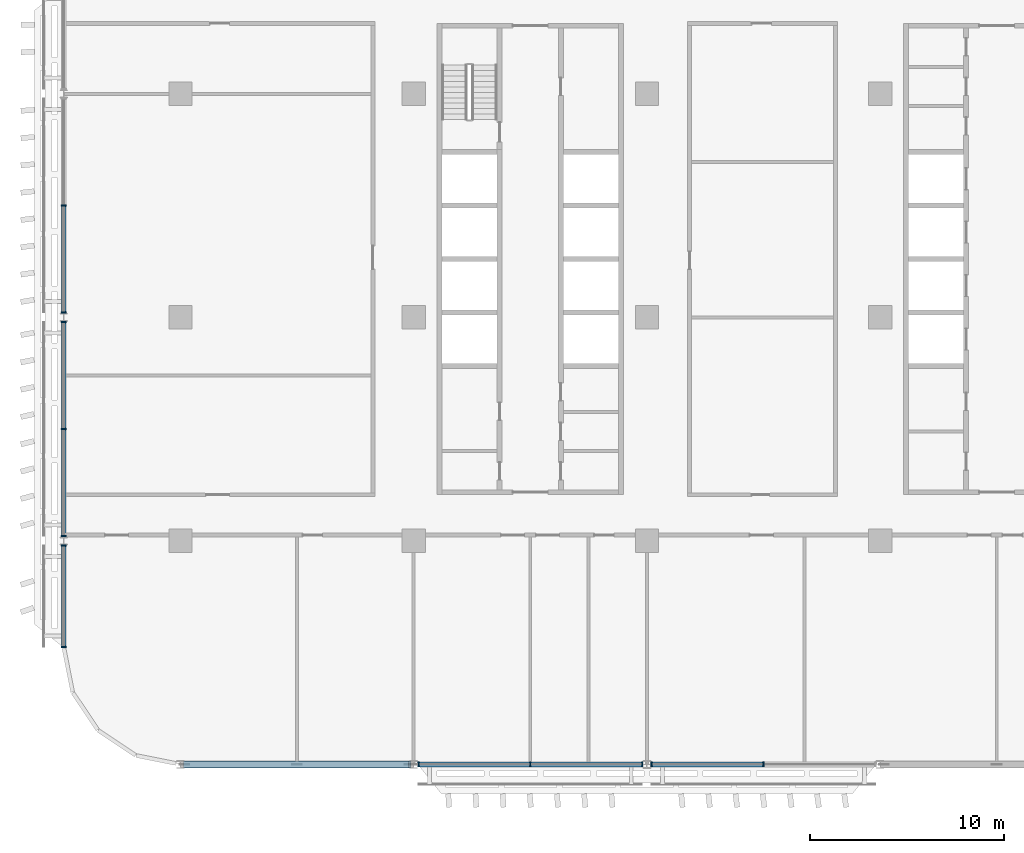
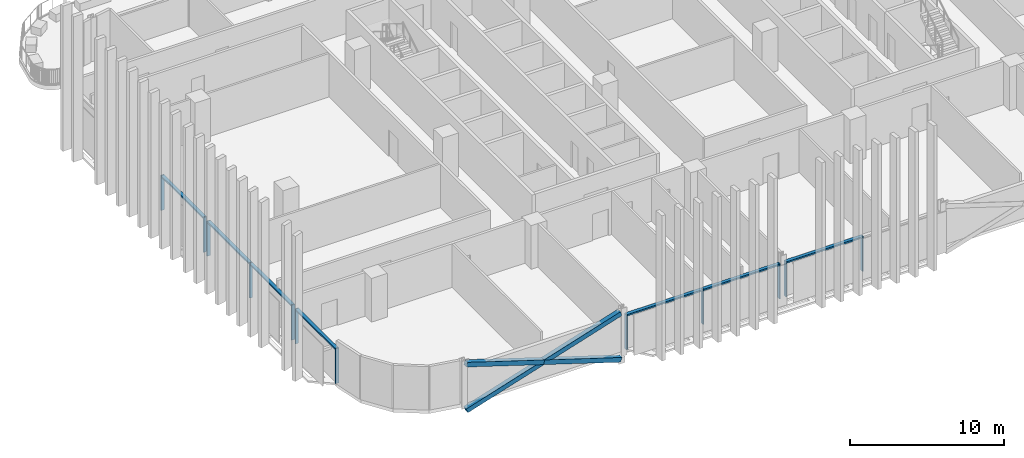
# One storey, part 3 of 30: 22 members, 5 elements without a shape of their own.
"""IFC4 building model written with IfcOpenShell, lengths in metres."""

from ifc_helpers import new_model, si_unit, direction, frame, origin, origin_2d, place, context, subcontext, project, spatial, rectangle, hollow_rectangle, extrude, material, material_profile, profile_set, type_object, element, aggregate, save


model = new_model("IFC4")

# Units and contexts
model_context = context("Model", 3, precision=1e-05, world=origin(), true_north=direction((0.0, 1.0)))
body_context = subcontext(model_context, "Body", "Model", "MODEL_VIEW")
ifc_project = project(units=[si_unit("LENGTHUNIT", "METRE"), si_unit("AREAUNIT", "SQUARE_METRE"), si_unit("VOLUMEUNIT", "CUBIC_METRE"), si_unit("PLANEANGLEUNIT", "RADIAN"), si_unit("MASSUNIT", "GRAM", prefix="KILO")], contexts=[model_context])

# Site, building, storey
site_placement = place(None, origin())
site = spatial("IfcSite", under=ifc_project, at=site_placement, CompositionType="ELEMENT")
building_placement = place(site_placement, origin())
building = spatial("IfcBuilding", under=site, at=building_placement, Name="Mahtab Terrace Research Tower", CompositionType="ELEMENT")
storey_placement = place(building_placement, frame((0.0, 0.0, 159.199951171875)))
storey = spatial("IfcBuildingStorey", under=building, at=storey_placement, Name="L37", CompositionType="ELEMENT", Elevation=159.199951171875)

# Members
ifc_material_1 = material(Name="Steel ASTM A500 Gr C", Category="steel")
ifc_material_profile_1 = material_profile(ifc_material_1, hollow_rectangle(XDim=0.355712890625, YDim=0.355712890625, WallThickness=0.015869140625, at=origin_2d()), Name="HSS14X14X5/8")
ifc_profile_set_1 = profile_set([ifc_material_profile_1], Name="Steel ASTM A500 Gr C")
member_type_1 = type_object("IfcMemberType", Name="HSS 14x14x5/8 brace XB141458", PredefinedType="BRACE", material=ifc_profile_set_1)
member_1_placement = place(storey_placement, frame((-41.796875, -23.0, -0.61474609375), z_axis=(0.953341454971, 0.0, 0.301894137463), x_axis=(0.0, 1.0, 0.0)))
element("IfcMember", 1, at=member_1_placement, inside=storey, type_object=member_type_1, Name="Exoskeleton brace L37 12 a", PredefinedType="BRACE", context=body_context, shape_type="SweptSolid", body=[
    extrude(hollow_rectangle(XDim=0.355712890625, YDim=0.355712890625, WallThickness=0.015869140625, at=origin_2d()), origin(), (0.0, 0.0, 1.0), 12.1611328125),
])
for number, where, z_axis, x_axis, name in (
    (2, (-30.203125, -23.0, -0.61474609375), (-0.953341454971, 0.0, 0.301894137463), (0.0, -1.0, 0.0), "Exoskeleton brace L37 12 b1"),
    (3, (-36.0, -23.0, 1.220947265625), (-0.953341454971, 0.0, 0.301894137463), (0.0, -1.0, 0.0), "Exoskeleton brace L37 12 b2"),
):
    element("IfcMember", number, at=place(storey_placement, frame(where, z_axis=z_axis, x_axis=x_axis)), inside=storey, type_object=member_type_1, Name=name, PredefinedType="BRACE", context=body_context, shape_type="SweptSolid", body=[
        extrude(hollow_rectangle(XDim=0.355712890625, YDim=0.355712890625, WallThickness=0.015869140625, at=origin_2d()), origin(), (0.0, 0.0, 1.0), 6.08056640625),
    ])

# Curtain wall, members
ifc_material_2 = material(Name="Sky lounge full-height curtain wall")
curtain_wall_type = type_object("IfcCurtainWallType", Name="Sky lounge full-height curtain wall", PredefinedType="NOTDEFINED", material=ifc_material_2)
curtain_wall_1_placement = place(storey_placement, origin())
curtain_wall_1 = element("IfcCurtainWall", 4, at=curtain_wall_1_placement, inside=storey, type_object=curtain_wall_type, Name="EN.L37.8.16", PredefinedType="NOTDEFINED")
ifc_material_3 = material(Name="Natural anodised aluminium", Category="aluminium")
ifc_material_profile_2 = material_profile(ifc_material_3, rectangle(XDim=0.25, YDim=0.070068359375, at=origin_2d()), Name="MULLION 70x250")
ifc_profile_set_2 = profile_set([ifc_material_profile_2], Name="Natural anodised aluminium")
member_type_2 = type_object("IfcMemberType", Name="Sky lounge full-height curtain wall mullion", PredefinedType="MULLION", material=ifc_profile_set_2)
member_2_placement = place(storey_placement, frame((-48.0, 5.75, 0.0), z_axis=(0.0, 0.0, 1.0), x_axis=(1.0, 0.0, 0.0)))
member_2 = element("IfcMember", 5, at=member_2_placement, type_object=member_type_2, Name="CWS-5 mullion 2", PredefinedType="MULLION", context=body_context, shape_type="SweptSolid", body=[
    extrude(rectangle(XDim=0.25, YDim=0.070068359375, at=origin_2d()), origin(), (0.0, 0.0, 1.0), 2.78173828125),
])
member_3_placement = place(storey_placement, frame((-48.0, 0.242919921875, 0.0), z_axis=(0.0, 0.0, 1.0), x_axis=(1.0, 0.0, 0.0)))
member_3 = element("IfcMember", 6, at=member_3_placement, type_object=member_type_2, Name="CWS-5 mullion 3", PredefinedType="MULLION", context=body_context, shape_type="SweptSolid", body=[
    extrude(rectangle(XDim=0.25, YDim=0.070068359375, at=origin_2d()), origin(), (0.0, 0.0, 1.0), 2.78173828125),
])

curtain_wall_2_placement = place(storey_placement, origin())
curtain_wall_2 = element("IfcCurtainWall", 7, at=curtain_wall_2_placement, inside=storey, type_object=curtain_wall_type, Name="EN.L37.8.17", PredefinedType="NOTDEFINED")
member_4_placement = place(storey_placement, frame((-48.0, -0.242919921875, 0.0), z_axis=(0.0, 0.0, 1.0), x_axis=(1.0, 0.0, 0.0)))
member_4 = element("IfcMember", 8, at=member_4_placement, type_object=member_type_2, Name="CWS-5 mullion 1", PredefinedType="MULLION", context=body_context, shape_type="SweptSolid", body=[
    extrude(rectangle(XDim=0.25, YDim=0.070068359375, at=origin_2d()), origin(), (0.0, 0.0, 1.0), 2.78173828125),
])
member_5_placement = place(storey_placement, frame((-48.0, -5.75, 0.0), z_axis=(0.0, 0.0, 1.0), x_axis=(1.0, 0.0, 0.0)))
member_5 = element("IfcMember", 9, at=member_5_placement, type_object=member_type_2, Name="CWS-5 mullion 2", PredefinedType="MULLION", context=body_context, shape_type="SweptSolid", body=[
    extrude(rectangle(XDim=0.25, YDim=0.070068359375, at=origin_2d()), origin(), (0.0, 0.0, 1.0), 2.78173828125),
])
member_6_placement = place(storey_placement, frame((-48.0, -11.257080078125, 0.0), z_axis=(0.0, 0.0, 1.0), x_axis=(1.0, 0.0, 0.0)))
member_6 = element("IfcMember", 10, at=member_6_placement, type_object=member_type_2, Name="CWS-5 mullion 3", PredefinedType="MULLION", context=body_context, shape_type="SweptSolid", body=[
    extrude(rectangle(XDim=0.25, YDim=0.070068359375, at=origin_2d()), origin(), (0.0, 0.0, 1.0), 2.78173828125),
])

curtain_wall_3_placement = place(storey_placement, origin())
curtain_wall_3 = element("IfcCurtainWall", 11, at=curtain_wall_3_placement, inside=storey, type_object=curtain_wall_type, Name="EN.L37.8.18", PredefinedType="NOTDEFINED")
member_7_placement = place(storey_placement, frame((-48.0, -11.742919921875, 0.0), z_axis=(0.0, 0.0, 1.0), x_axis=(1.0, 0.0, 0.0)))
member_7 = element("IfcMember", 12, at=member_7_placement, type_object=member_type_2, Name="CWS-5 mullion 1", PredefinedType="MULLION", context=body_context, shape_type="SweptSolid", body=[
    extrude(rectangle(XDim=0.25, YDim=0.070068359375, at=origin_2d()), origin(), (0.0, 0.0, 1.0), 2.78173828125),
])
member_8_placement = place(storey_placement, frame((-48.0, -16.965087890625, 0.0), z_axis=(0.0, 0.0, 1.0), x_axis=(1.0, 0.0, 0.0)))
member_8 = element("IfcMember", 13, at=member_8_placement, type_object=member_type_2, Name="CWS-5 mullion 2", PredefinedType="MULLION", context=body_context, shape_type="SweptSolid", body=[
    extrude(rectangle(XDim=0.25, YDim=0.070068359375, at=origin_2d()), origin(), (0.0, 0.0, 1.0), 2.78173828125),
])

curtain_wall_4_placement = place(storey_placement, origin())
curtain_wall_4 = element("IfcCurtainWall", 14, at=curtain_wall_4_placement, inside=storey, type_object=curtain_wall_type, Name="EN.L37.13.24", PredefinedType="NOTDEFINED")
member_9_placement = place(storey_placement, frame((-29.757080078125, -23.0, 0.0), z_axis=(0.0, 0.0, 1.0), x_axis=(0.0, 1.0, 0.0)))
member_9 = element("IfcMember", 15, at=member_9_placement, type_object=member_type_2, Name="CWS-5 mullion 1", PredefinedType="MULLION", context=body_context, shape_type="SweptSolid", body=[
    extrude(rectangle(XDim=0.25, YDim=0.070068359375, at=origin_2d()), origin(), (0.0, 0.0, 1.0), 2.78173828125),
])
member_10_placement = place(storey_placement, frame((-24.0, -23.0, 0.0), z_axis=(0.0, 0.0, 1.0), x_axis=(0.0, 1.0, 0.0)))
member_10 = element("IfcMember", 16, at=member_10_placement, type_object=member_type_2, Name="CWS-5 mullion 2", PredefinedType="MULLION", context=body_context, shape_type="SweptSolid", body=[
    extrude(rectangle(XDim=0.25, YDim=0.070068359375, at=origin_2d()), origin(), (0.0, 0.0, 1.0), 2.78173828125),
])
member_11_placement = place(storey_placement, frame((-18.242919921875, -23.0, 0.0), z_axis=(0.0, 0.0, 1.0), x_axis=(0.0, 1.0, 0.0)))
member_11 = element("IfcMember", 17, at=member_11_placement, type_object=member_type_2, Name="CWS-5 mullion 3", PredefinedType="MULLION", context=body_context, shape_type="SweptSolid", body=[
    extrude(rectangle(XDim=0.25, YDim=0.070068359375, at=origin_2d()), origin(), (0.0, 0.0, 1.0), 2.78173828125),
])

curtain_wall_5_placement = place(storey_placement, origin())
curtain_wall_5 = element("IfcCurtainWall", 18, at=curtain_wall_5_placement, inside=storey, type_object=curtain_wall_type, Name="EN.L37.13.25", PredefinedType="NOTDEFINED")
member_12_placement = place(storey_placement, frame((-17.757080078125, -23.0, 0.0), z_axis=(0.0, 0.0, 1.0), x_axis=(0.0, 1.0, 0.0)))
member_12 = element("IfcMember", 19, at=member_12_placement, type_object=member_type_2, Name="CWS-5 mullion 1", PredefinedType="MULLION", context=body_context, shape_type="SweptSolid", body=[
    extrude(rectangle(XDim=0.25, YDim=0.070068359375, at=origin_2d()), origin(), (0.0, 0.0, 1.0), 2.78173828125),
])
member_13_placement = place(storey_placement, frame((-12.0, -23.0, 0.0), z_axis=(0.0, 0.0, 1.0), x_axis=(0.0, 1.0, 0.0)))
member_13 = element("IfcMember", 20, at=member_13_placement, type_object=member_type_2, Name="CWS-5 mullion 2", PredefinedType="MULLION", context=body_context, shape_type="SweptSolid", body=[
    extrude(rectangle(XDim=0.25, YDim=0.070068359375, at=origin_2d()), origin(), (0.0, 0.0, 1.0), 2.78173828125),
])

# Member
ifc_material_profile_3 = material_profile(ifc_material_3, rectangle(XDim=0.25, YDim=0.1201171875, at=origin_2d()), Name="TRANSOM 120x250")
ifc_profile_set_3 = profile_set([ifc_material_profile_3], Name="Natural anodised aluminium")
member_type_3 = type_object("IfcMemberType", Name="Sky lounge full-height curtain wall transom", PredefinedType="USERDEFINED", material=ifc_profile_set_3)
member_14_placement = place(storey_placement, frame((-48.0, 5.715087890625, 2.721923828125), z_axis=(0.0, -1.0, 0.0), x_axis=(1.0, 0.0, 0.0)))
member_14 = element("IfcMember", 21, at=member_14_placement, type_object=member_type_3, Name="CWS-5 transom 2", ObjectType="TRANSOM", PredefinedType="USERDEFINED", context=body_context, shape_type="SweptSolid", body=[
    extrude(rectangle(XDim=0.25, YDim=0.1201171875, at=origin_2d()), origin(), (0.0, 0.0, 1.0), 5.43701171875),
])

aggregate(curtain_wall_1, [member_2, member_3, member_14])

member_15_placement = place(storey_placement, frame((-48.0, -0.278076171875, 2.721923828125), z_axis=(0.0, -1.0, 0.0), x_axis=(1.0, 0.0, 0.0)))
member_15 = element("IfcMember", 22, at=member_15_placement, type_object=member_type_3, Name="CWS-5 transom 1", ObjectType="TRANSOM", PredefinedType="USERDEFINED", context=body_context, shape_type="SweptSolid", body=[
    extrude(rectangle(XDim=0.25, YDim=0.1201171875, at=origin_2d()), origin(), (0.0, 0.0, 1.0), 5.43701171875),
])

member_16_placement = place(storey_placement, frame((-48.0, -5.784912109375, 2.721923828125), z_axis=(0.0, -1.0, 0.0), x_axis=(1.0, 0.0, 0.0)))
member_16 = element("IfcMember", 23, at=member_16_placement, type_object=member_type_3, Name="CWS-5 transom 2", ObjectType="TRANSOM", PredefinedType="USERDEFINED", context=body_context, shape_type="SweptSolid", body=[
    extrude(rectangle(XDim=0.25, YDim=0.1201171875, at=origin_2d()), origin(), (0.0, 0.0, 1.0), 5.43701171875),
])

aggregate(curtain_wall_2, [member_4, member_5, member_6, member_15, member_16])

member_17_placement = place(storey_placement, frame((-48.0, -11.778076171875, 2.721923828125), z_axis=(0.0, -1.0, 0.0), x_axis=(1.0, 0.0, 0.0)))
member_17 = element("IfcMember", 24, at=member_17_placement, type_object=member_type_3, Name="CWS-5 transom 1", ObjectType="TRANSOM", PredefinedType="USERDEFINED", context=body_context, shape_type="SweptSolid", body=[
    extrude(rectangle(XDim=0.25, YDim=0.1201171875, at=origin_2d()), origin(), (0.0, 0.0, 1.0), 5.15185546875),
])

aggregate(curtain_wall_3, [member_7, member_8, member_17])

member_18_placement = place(storey_placement, frame((-29.721923828125, -23.0, 2.721923828125), z_axis=(1.0, 0.0, 0.0), x_axis=(0.0, 1.0, 0.0)))
member_18 = element("IfcMember", 25, at=member_18_placement, type_object=member_type_3, Name="CWS-5 transom 1", ObjectType="TRANSOM", PredefinedType="USERDEFINED", context=body_context, shape_type="SweptSolid", body=[
    extrude(rectangle(XDim=0.25, YDim=0.1201171875, at=origin_2d()), origin(), (0.0, 0.0, 1.0), 5.68701171875),
])

member_19_placement = place(storey_placement, frame((-23.965087890625, -23.0, 2.721923828125), z_axis=(1.0, 0.0, 0.0), x_axis=(0.0, 1.0, 0.0)))
member_19 = element("IfcMember", 26, at=member_19_placement, type_object=member_type_3, Name="CWS-5 transom 2", ObjectType="TRANSOM", PredefinedType="USERDEFINED", context=body_context, shape_type="SweptSolid", body=[
    extrude(rectangle(XDim=0.25, YDim=0.1201171875, at=origin_2d()), origin(), (0.0, 0.0, 1.0), 5.68701171875),
])

aggregate(curtain_wall_4, [member_9, member_10, member_11, member_18, member_19])

member_20_placement = place(storey_placement, frame((-17.721923828125, -23.0, 2.721923828125), z_axis=(1.0, 0.0, 0.0), x_axis=(0.0, 1.0, 0.0)))
member_20 = element("IfcMember", 27, at=member_20_placement, type_object=member_type_3, Name="CWS-5 transom 1", ObjectType="TRANSOM", PredefinedType="USERDEFINED", context=body_context, shape_type="SweptSolid", body=[
    extrude(rectangle(XDim=0.25, YDim=0.1201171875, at=origin_2d()), origin(), (0.0, 0.0, 1.0), 5.68701171875),
])

aggregate(curtain_wall_5, [member_12, member_13, member_20])

save(model, "model.ifc")
